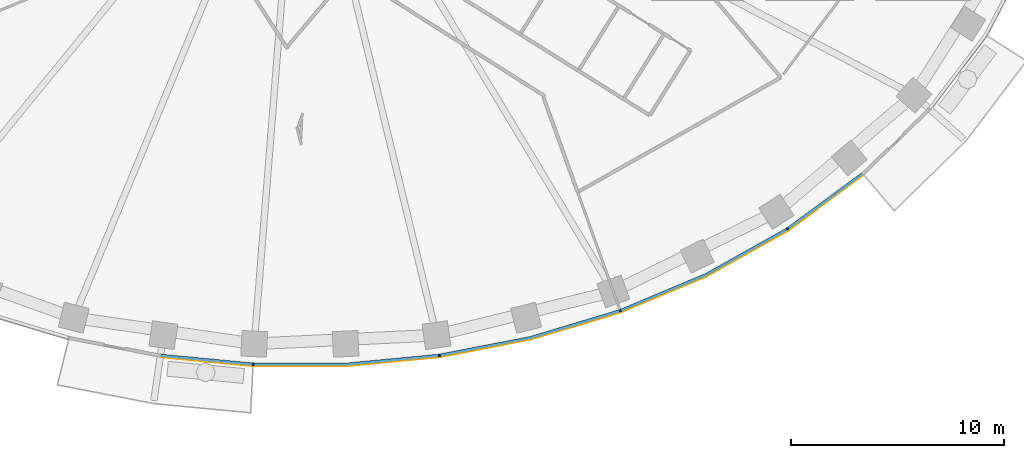
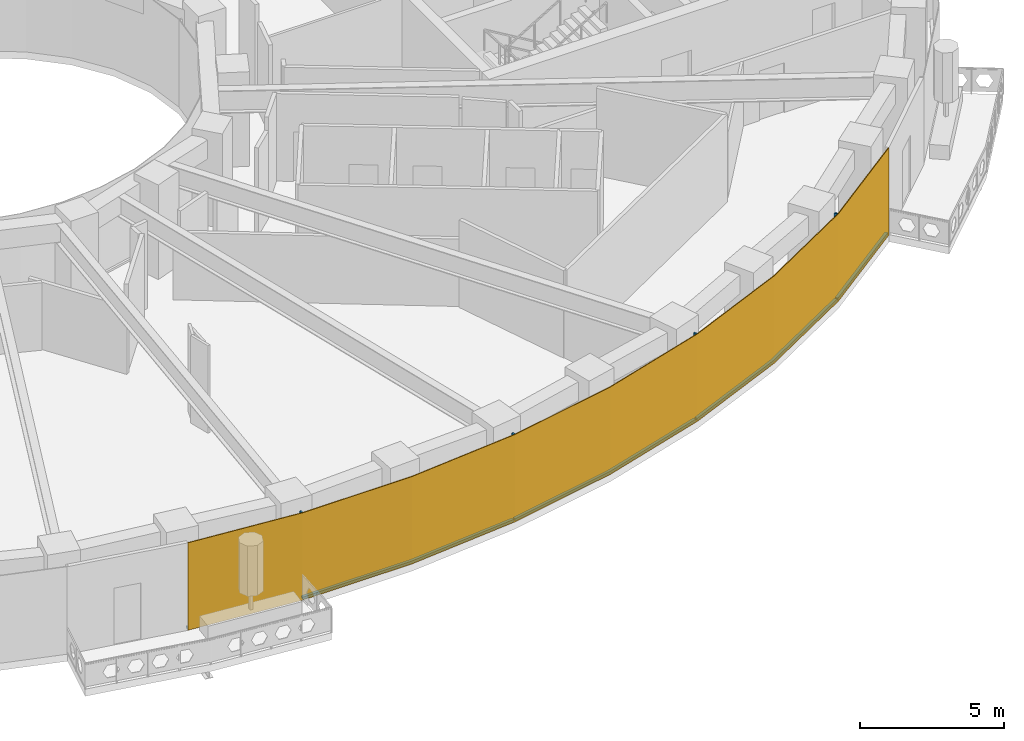
# One storey, part 9 of 16: 9 members, 1 curtain wall.
"""IFC4 building model written with IfcOpenShell, lengths in metres."""

from ifc_helpers import new_model, si_unit, direction, frame, origin, origin_2d, place, context, subcontext, project, spatial, polyline, rectangle, outline, extrude, material, layer, layer_set, material_profile, profile_set, type_object, element, aggregate, save


model = new_model("IFC4")

# Units and contexts
model_context = context("Model", 3, precision=1e-05, world=origin(), true_north=direction((0.0, 1.0)))
body_context = subcontext(model_context, "Body", "Model", "MODEL_VIEW")
ifc_project = project(units=[si_unit("LENGTHUNIT", "METRE"), si_unit("AREAUNIT", "SQUARE_METRE"), si_unit("VOLUMEUNIT", "CUBIC_METRE"), si_unit("PLANEANGLEUNIT", "RADIAN"), si_unit("MASSUNIT", "GRAM", prefix="KILO")], contexts=[model_context])

# Member
ifc_material_1 = material(Name="Aluminium 6063-T6 black anodised", Category="aluminium")
ifc_material_profile = material_profile(ifc_material_1, rectangle(XDim=0.1201171875, YDim=0.06005859375, at=origin_2d()), Name="120x60")
ifc_profile_set = profile_set([ifc_material_profile], Name="Aluminium 6063-T6 black anodised")
member_type_1 = type_object("IfcMemberType", Name="ENV-MULLION-A-120", PredefinedType="MULLION", material=ifc_profile_set)
site_placement = place(None, origin())
building_placement = place(site_placement, origin())
storey_placement = place(building_placement, frame((0.0, 0.0, 166.0)))
member_1_placement = place(storey_placement, frame((-2.188720703125, -27.856201171875, 0.0), z_axis=(0.0, 0.0, 1.0), x_axis=(0.047557873581, 0.998868484166, 0.0)))
member_1 = element("IfcMember", 1, at=member_1_placement, type_object=member_type_1, Name="Mullion A radial 35", PredefinedType="MULLION", context=body_context, shape_type="SweptSolid", body=[
    extrude(rectangle(XDim=0.1201171875, YDim=0.06005859375, at=origin_2d()), origin(), (0.0, 0.0, 1.0), 3.699951171875),
])

member_2_placement = place(storey_placement, frame((6.54638671875, -27.440185546875, 0.0), z_axis=(0.0, 0.0, 1.0), x_axis=(-0.143082012705, 0.989710835366, 0.0)))
member_2 = element("IfcMember", 2, at=member_2_placement, type_object=member_type_1, Name="Mullion A radial 37", PredefinedType="MULLION", context=body_context, shape_type="SweptSolid", body=[
    extrude(rectangle(XDim=0.1201171875, YDim=0.06005859375, at=origin_2d()), origin(), (0.0, 0.0, 1.0), 3.699951171875),
])

member_3_placement = place(storey_placement, frame((15.0341796875, -25.34375, 0.0), z_axis=(0.0, 0.0, 1.0), x_axis=(-0.338379256581, 0.941009818608, 0.0)))
member_3 = element("IfcMember", 3, at=member_3_placement, type_object=member_type_1, Name="Mullion A radial 39", PredefinedType="MULLION", context=body_context, shape_type="SweptSolid", body=[
    extrude(rectangle(XDim=0.1201171875, YDim=0.06005859375, at=origin_2d()), origin(), (0.0, 0.0, 1.0), 3.699951171875),
])

member_4_placement = place(storey_placement, frame((22.882568359375, -21.506591796875, 0.0), z_axis=(0.0, 0.0, 1.0), x_axis=(-0.542279153225, 0.840198381323, 0.0)))
member_4 = element("IfcMember", 4, at=member_4_placement, type_object=member_type_1, Name="Mullion A radial 41", PredefinedType="MULLION", context=body_context, shape_type="SweptSolid", body=[
    extrude(rectangle(XDim=0.1201171875, YDim=0.06005859375, at=origin_2d()), origin(), (0.0, 0.0, 1.0), 3.699951171875),
])

ifc_material_2 = material(Name="Aluminium 6063-T6 black anodised", Category="aluminium")
member_type_2 = type_object("IfcMemberType", Name="ENV-TRANSOM-A", PredefinedType="USERDEFINED", material=ifc_material_2)
member_5_placement = place(storey_placement, origin())
member_5 = element("IfcMember", 5, at=member_5_placement, type_object=member_type_2, Name="Transom A radial 34-35", ObjectType="TRANSOM", PredefinedType="USERDEFINED", context=body_context, shape_type="SweptSolid", body=[
    extrude(outline(polyline([(-6.53515625, -27.50146484375), (-2.219482421875, -27.913330078125), (-2.2138671875, -27.793212890625), (-6.51806640625, -27.382568359375), (-6.53515625, -27.50146484375)])), origin(), (0.0, 0.0, 1.0), 0.10009765625),
])

member_6_placement = place(storey_placement, origin())
member_6 = element("IfcMember", 6, at=member_6_placement, type_object=member_type_2, Name="Transom A radial 35-37", ObjectType="TRANSOM", PredefinedType="USERDEFINED", context=body_context, shape_type="SweptSolid", body=[
    extrude(outline(polyline([(-2.163818359375, -27.916015625), (2.191650390625, -27.916015625), (6.527099609375, -27.502197265625), (6.510009765625, -27.38330078125), (2.185791015625, -27.7958984375), (-2.157958984375, -27.7958984375), (-2.163818359375, -27.916015625)])), origin(), (0.0, 0.0, 1.0), 0.10009765625),
])

member_7_placement = place(storey_placement, origin())
member_7 = element("IfcMember", 7, at=member_7_placement, type_object=member_type_2, Name="Transom A radial 37-39", ObjectType="TRANSOM", PredefinedType="USERDEFINED", context=body_context, shape_type="SweptSolid", body=[
    extrude(outline(polyline([(6.58251953125, -27.494140625), (10.857666015625, -26.6630859375), (15.027587890625, -25.408203125), (14.987060546875, -25.295166015625), (10.828857421875, -26.54638671875), (6.5654296875, -27.375244140625), (6.58251953125, -27.494140625)])), origin(), (0.0, 0.0, 1.0), 0.10009765625),
])

member_8_placement = place(storey_placement, origin())
member_8 = element("IfcMember", 8, at=member_8_placement, type_object=member_type_2, Name="Transom A radial 39-41", ObjectType="TRANSOM", PredefinedType="USERDEFINED", context=body_context, shape_type="SweptSolid", body=[
    extrude(outline(polyline([(15.080322265625, -25.389404296875), (19.093994140625, -23.701416015625), (22.890625, -21.570556640625), (22.825439453125, -21.469482421875), (19.041259765625, -23.593505859375), (15.03955078125, -25.276123046875), (15.080322265625, -25.389404296875)])), origin(), (0.0, 0.0, 1.0), 0.10009765625),
])

member_9_placement = place(storey_placement, origin())
member_9 = element("IfcMember", 9, at=member_9_placement, type_object=member_type_2, Name="Transom A radial 41-42", ObjectType="TRANSOM", PredefinedType="USERDEFINED", context=body_context, shape_type="SweptSolid", body=[
    extrude(outline(polyline([(22.937744140625, -21.540283203125), (26.42626953125, -18.970703125), (26.348388671875, -18.87890625), (22.87255859375, -21.439208984375), (22.937744140625, -21.540283203125)])), origin(), (0.0, 0.0, 1.0), 0.10009765625),
])

# Site, building, storey
site = spatial("IfcSite", under=ifc_project, at=site_placement, CompositionType="ELEMENT")
building = spatial("IfcBuilding", under=site, at=building_placement, Name="Noorbagh Ring Tower", CompositionType="ELEMENT")
storey = spatial("IfcBuildingStorey", under=building, at=storey_placement, Name="L38", CompositionType="ELEMENT", Elevation=166.0)

# Curtain wall
ifc_material_3 = material(Name="Glass dark tinted laminated", Category="glass")
ifc_layer = layer(ifc_material_3, 0.031982421875)
ifc_layer_set = layer_set([ifc_layer], Name="Glass dark tinted laminated")
curtain_wall_type = type_object("IfcCurtainWallType", Name="ENV-CW-A", PredefinedType="NOTDEFINED", material=ifc_layer_set)
curtain_wall_placement = place(storey_placement, origin())
curtain_wall = element("IfcCurtainWall", 10, at=curtain_wall_placement, inside=storey, type_object=curtain_wall_type, Name="Curtain wall A R34", PredefinedType="NOTDEFINED", context=body_context, shape_type="SweptSolid", body=[
    extrude(outline(polyline([(-6.539794921875, -27.533203125), (-2.193115234375, -27.947998046875), (2.193115234375, -27.947998046875), (6.559814453125, -27.53125), (10.865234375, -26.6943359375), (15.065185546875, -25.430419921875), (19.108154296875, -23.730224609375), (22.9326171875, -21.583740234375), (26.447021484375, -18.9951171875), (26.42626953125, -18.970703125), (22.9150390625, -21.556884765625), (19.093994140625, -23.701416015625), (15.054443359375, -25.400146484375), (10.857666015625, -26.6630859375), (6.55517578125, -27.49951171875), (2.191650390625, -27.916015625), (-2.191650390625, -27.916015625), (-6.53515625, -27.50146484375), (-6.539794921875, -27.533203125)])), origin(), (0.0, 0.0, 1.0), 3.699951171875),
])

aggregate(curtain_wall, [member_1, member_2, member_3, member_4, member_5, member_6, member_7, member_8, member_9])

save(model, "model.ifc")
